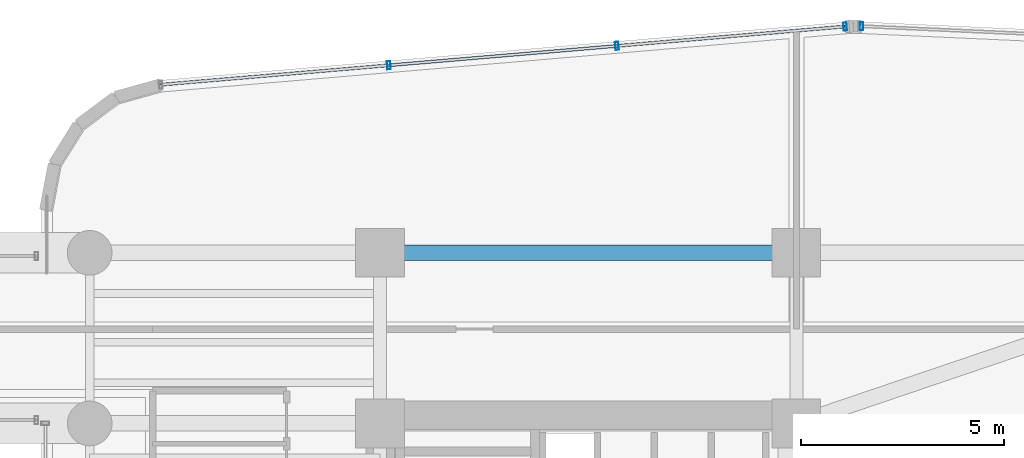
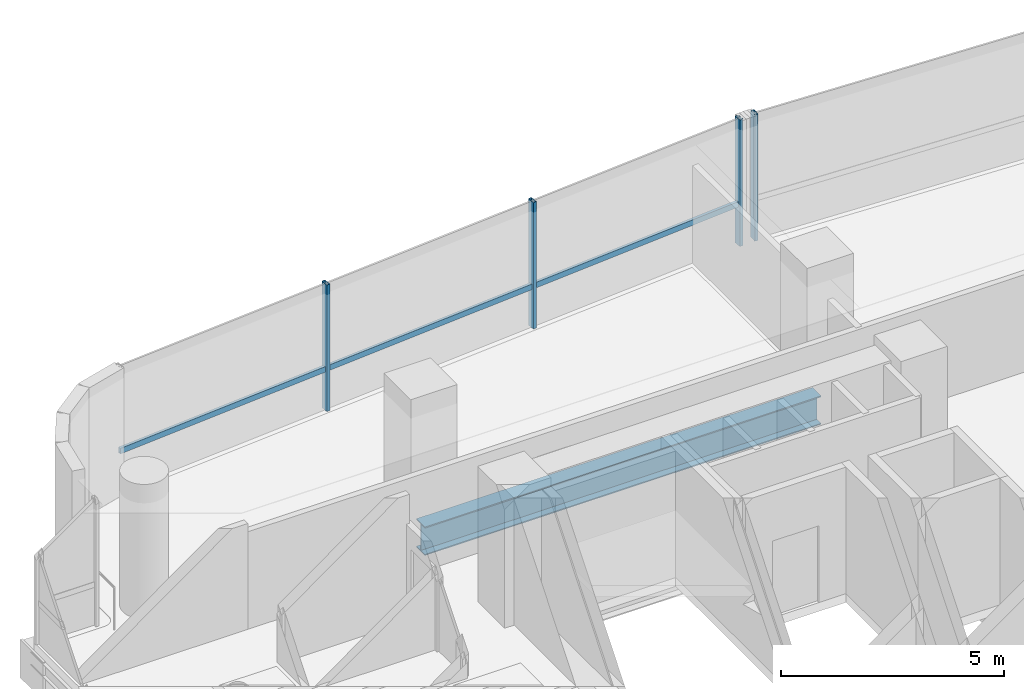
# One storey, part 20 of 35: 5 members, 1 beam, 2 elements without a shape of their own.
"""IFC4 building model written with IfcOpenShell, lengths in metres."""

from ifc_helpers import new_model, si_unit, direction, frame, origin, origin_2d, place, context, subcontext, project, spatial, hollow_rectangle, i_section, extrude, source, transform, mapped, material, material_profile, profile_set, type_object, element, aggregate, save


model = new_model("IFC4")

# Units and contexts
model_context = context("Model", 3, precision=1e-05, world=origin(), true_north=direction((0.0, 1.0)))
body_context = subcontext(model_context, "Body", "Model", "MODEL_VIEW")
ifc_project = project(units=[si_unit("LENGTHUNIT", "METRE"), si_unit("AREAUNIT", "SQUARE_METRE"), si_unit("VOLUMEUNIT", "CUBIC_METRE"), si_unit("PLANEANGLEUNIT", "RADIAN"), si_unit("MASSUNIT", "GRAM", prefix="KILO")], contexts=[model_context])

# Site, building, storey
site_placement = place(None, origin())
site = spatial("IfcSite", under=ifc_project, at=site_placement, CompositionType="ELEMENT")
building_placement = place(site_placement, origin())
building = spatial("IfcBuilding", under=site, at=building_placement, Name="Valdorenza Pilgrim Sanctuary Tower", CompositionType="ELEMENT")
storey_placement = place(building_placement, frame((0.0, 0.0, 124.199951171875)))
storey = spatial("IfcBuildingStorey", under=building, at=storey_placement, Name="L31", CompositionType="ELEMENT", Elevation=124.199951171875)

# Beam
ifc_material_1 = material(Name="Steel ASTM A992 Grade 50", Category="steel")
ifc_material_profile_1 = material_profile(ifc_material_1, i_section(OverallWidth=0.382080078125, OverallDepth=0.779052734375, WebThickness=0.01806640625, FlangeThickness=0.030029296875, at=origin_2d()), Name="W30X191")
ifc_profile_set_1 = profile_set([ifc_material_profile_1], Name="Steel ASTM A992 Grade 50")
beam_type = type_object("IfcBeamType", Name="STR-BM-GRD-W30", PredefinedType="BEAM", material=ifc_profile_set_1)
shared_shape_1 = source(origin(), body_context, "Body", "SweptSolid", [
    extrude(i_section(OverallWidth=0.382080078125, OverallDepth=0.779052734375, WebThickness=0.01806640625, FlangeThickness=0.030029296875, at=origin_2d()), origin(), (0.0, 0.0, 1.0), 10.25),
])
beam_placement = place(storey_placement, frame((-22.64990234375, 14.800048828125, -0.62939453125), z_axis=(1.0, 0.0, 0.0), x_axis=(0.0, 1.0, 0.0)))
element("IfcBeam", 1, at=beam_placement, inside=storey, type_object=beam_type, Name="L31 Floor Girder CA-XC-N2", PredefinedType="BEAM", context=body_context, shape_type="MappedRepresentation", body=[
    mapped(shared_shape_1, transform((0.0, 0.0, 0.0), x_axis=(1.0, 0.0, 0.0), y_axis=(0.0, 1.0, 0.0), z_axis=(0.0, 0.0, 1.0), scale=1.0)),
])

# Curtain wall, members
ifc_material_2 = material(Name="Curtain-wall IGU glazing", Category="glass")
curtain_wall_type = type_object("IfcCurtainWallType", Name="CW-SYS-02", PredefinedType="NOTDEFINED", material=ifc_material_2)
curtain_wall_1_placement = place(storey_placement, origin())
curtain_wall_1 = element("IfcCurtainWall", 2, at=curtain_wall_1_placement, inside=storey, type_object=curtain_wall_type, Name="L31 Curtain Wall CW-L31-1-6", PredefinedType="NOTDEFINED")
ifc_material_3 = material(Name="Anodised aluminium AW-6060", Category="aluminium")
ifc_material_profile_2 = material_profile(ifc_material_3, hollow_rectangle(XDim=0.0849609375, YDim=0.199951171875, WallThickness=0.0048828125, at=origin_2d()), Name="ALU-M 200x85x5")
ifc_profile_set_2 = profile_set([ifc_material_profile_2], Name="Anodised aluminium AW-6060")
member_type_1 = type_object("IfcMemberType", Name="CW-MUL-02", PredefinedType="MULLION", material=ifc_profile_set_2)
shared_shape_2 = source(origin(), body_context, "Body", "SweptSolid", [
    extrude(hollow_rectangle(XDim=0.0849609375, YDim=0.199951171875, WallThickness=0.0048828125, at=origin_2d()), origin(), (0.0, 0.0, 1.0), 3.4599609375),
])
member_1_placement = place(storey_placement, frame((-22.43408203125, 19.417724609375, 0.0), z_axis=(0.0, 0.0, 1.0), x_axis=(0.99640764237, 0.084686541006, 0.0)))
member_1 = element("IfcMember", 3, at=member_1_placement, type_object=member_type_1, Name="CW-L31-1-6 Mullion 2", PredefinedType="MULLION", context=body_context, shape_type="MappedRepresentation", body=[
    mapped(shared_shape_2, transform((0.0, 0.0, 0.0), x_axis=(1.0, 0.0, 0.0), y_axis=(0.0, 1.0, 0.0), z_axis=(0.0, 0.0, 1.0), scale=1.0)),
])
member_2_placement = place(storey_placement, frame((-16.81689453125, 19.895263671875, 0.0), z_axis=(0.0, 0.0, 1.0), x_axis=(0.99640764237, 0.084686541006, 0.0)))
member_2 = element("IfcMember", 4, at=member_2_placement, type_object=member_type_1, Name="CW-L31-1-6 Mullion 3", PredefinedType="MULLION", context=body_context, shape_type="MappedRepresentation", body=[
    mapped(shared_shape_2, transform((0.0, 0.0, 0.0), x_axis=(1.0, 0.0, 0.0), y_axis=(0.0, 1.0, 0.0), z_axis=(0.0, 0.0, 1.0), scale=1.0)),
])
member_3_placement = place(storey_placement, frame((-11.199462890625, 20.37255859375, 0.0), z_axis=(0.0, 0.0, 1.0), x_axis=(0.99640764237, 0.084686541006, 0.0)))
member_3 = element("IfcMember", 5, at=member_3_placement, type_object=member_type_1, Name="CW-L31-1-6 Mullion 4", PredefinedType="MULLION", context=body_context, shape_type="MappedRepresentation", body=[
    mapped(shared_shape_2, transform((0.0, 0.0, 0.0), x_axis=(1.0, 0.0, 0.0), y_axis=(0.0, 1.0, 0.0), z_axis=(0.0, 0.0, 1.0), scale=1.0)),
])

# Curtain wall, member
curtain_wall_2_placement = place(storey_placement, origin())
curtain_wall_2 = element("IfcCurtainWall", 6, at=curtain_wall_2_placement, inside=storey, type_object=curtain_wall_type, Name="L31 Curtain Wall CW-L31-1-11", PredefinedType="NOTDEFINED")
member_4_placement = place(storey_placement, frame((-10.795654296875, 20.380615234375, 0.0), z_axis=(0.0, 0.0, 1.0), x_axis=(0.998968193221, -0.045415294044, 0.0)))
member_4 = element("IfcMember", 7, at=member_4_placement, type_object=member_type_1, Name="CW-L31-1-11 Mullion 1", PredefinedType="MULLION", context=body_context, shape_type="MappedRepresentation", body=[
    mapped(shared_shape_2, transform((0.0, 0.0, 0.0), x_axis=(1.0, 0.0, 0.0), y_axis=(0.0, 1.0, 0.0), z_axis=(0.0, 0.0, 1.0), scale=1.0)),
])
aggregate(curtain_wall_2, [member_4])

# Member
ifc_material_profile_3 = material_profile(ifc_material_3, hollow_rectangle(XDim=0.074951171875, YDim=0.14990234375, WallThickness=0.00390625, at=origin_2d()), Name="ALU-T 150x75x4")
ifc_profile_set_3 = profile_set([ifc_material_profile_3], Name="Anodised aluminium AW-6060")
member_type_2 = type_object("IfcMemberType", Name="CW-TRN-02", PredefinedType="USERDEFINED", material=ifc_profile_set_3)
shared_shape_3 = source(origin(), body_context, "Body", "SweptSolid", [
    extrude(hollow_rectangle(XDim=0.074951171875, YDim=0.14990234375, WallThickness=0.00390625, at=origin_2d()), origin(), (0.0, 0.0, 1.0), 16.912841796875),
])
member_5_placement = place(storey_placement, frame((-28.051513671875, 18.940185546875, 1.1201171875), z_axis=(0.996407213932, 0.084691581783, 0.0), x_axis=(-0.084691581783, 0.996407213932, 0.0)))
member_5 = element("IfcMember", 8, at=member_5_placement, type_object=member_type_2, Name="CW-L31-1-6 Transom 1", ObjectType="TRANSOM", PredefinedType="USERDEFINED", context=body_context, shape_type="MappedRepresentation", body=[
    mapped(shared_shape_3, transform((0.0, 0.0, 0.0), x_axis=(1.0, 0.0, 0.0), y_axis=(0.0, 1.0, 0.0), z_axis=(0.0, 0.0, 1.0), scale=1.0)),
])

aggregate(curtain_wall_1, [member_1, member_2, member_3, member_5])

save(model, "model.ifc")
